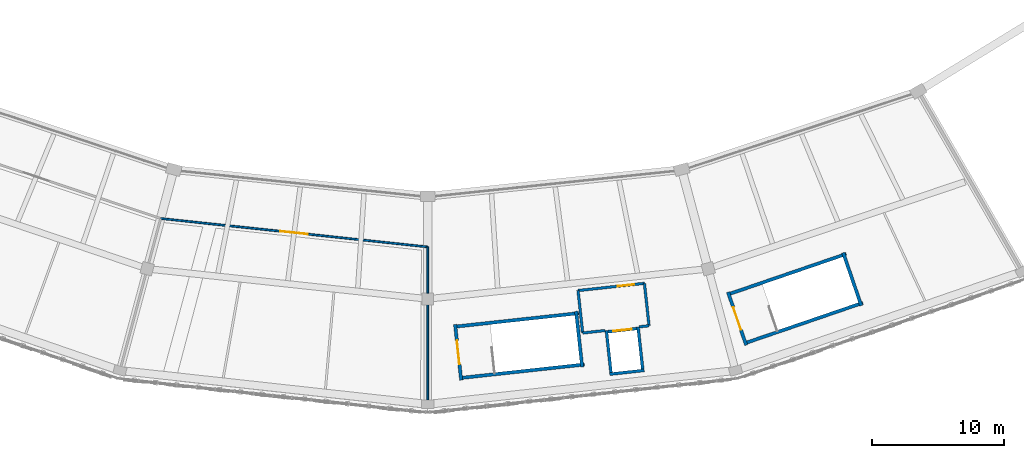
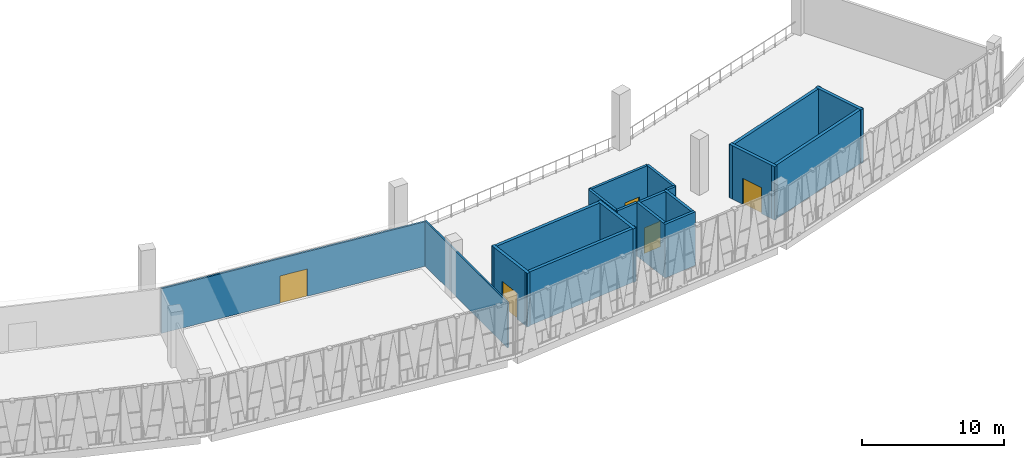
# One storey, part 44 of 64: 20 walls, 5 doors, 5 openings.
"""IFC4 building model written with IfcOpenShell, lengths in metres."""

from ifc_helpers import new_model, si_unit, direction, frame, frame_2d, origin, place, context, subcontext, project, spatial, rectangle, extrude, material, layer, layer_set, type_object, element, fill, save


model = new_model("IFC4")

# Units and contexts
model_context = context("Model", 3, precision=1e-05, world=origin(), true_north=direction((0.0, 1.0)))
body_context = subcontext(model_context, "Body", "Model", "MODEL_VIEW")
ifc_project = project(units=[si_unit("LENGTHUNIT", "METRE"), si_unit("AREAUNIT", "SQUARE_METRE"), si_unit("VOLUMEUNIT", "CUBIC_METRE"), si_unit("PLANEANGLEUNIT", "RADIAN"), si_unit("MASSUNIT", "GRAM", prefix="KILO")], contexts=[model_context])

# Site, building, storey
site_placement = place(None, origin())
site = spatial("IfcSite", under=ifc_project, at=site_placement, CompositionType="ELEMENT")
building_placement = place(site_placement, origin())
building = spatial("IfcBuilding", under=site, at=building_placement, Name="Zevraka Park Crest Stadium", CompositionType="ELEMENT")
storey_placement = place(building_placement, frame((0.0, 0.0, 24.60009765625)))
storey = spatial("IfcBuildingStorey", under=building, at=storey_placement, Name="L05", CompositionType="ELEMENT", Elevation=24.60009765625)

# Walls
ifc_material_1 = material(Name="Autoclaved aerated masonry blockwork", Category="masonry")
ifc_layer_1 = layer(ifc_material_1, 0.199951171875)
ifc_layer_set_1 = layer_set([ifc_layer_1], Name="Autoclaved aerated masonry blockwork")
wall_type_1 = type_object("IfcWallType", Name="IW01", PredefinedType="PARTITIONING", material=ifc_layer_set_1)
wall_1_placement = place(storey_placement, frame((128.804931640625, 22.6650390625, 0.0), z_axis=(0.0, 0.0, 1.0), x_axis=(-0.994146742738, -0.108038205757, 0.0)))
element("IfcWall", 1, at=wall_1_placement, inside=storey, type_object=wall_type_1, Name="Firefighting Lift Lobby Wall IW01 FL04 L05 BACKL", PredefinedType="PARTITIONING", context=body_context, shape_type="SweptSolid", body=[
    extrude(rectangle(XDim=0.750244140625, YDim=0.199951171875, at=frame_2d((0.375, 0.0))), origin(), (0.0, 0.0, 1.0), 4.599853515625),
])
wall_2_placement = place(storey_placement, frame((125.47509765625, 22.302001953125, 0.0), z_axis=(0.0, 0.0, 1.0), x_axis=(-0.994135511072, -0.108141507414, 0.0)))
element("IfcWall", 2, at=wall_2_placement, inside=storey, type_object=wall_type_1, Name="Firefighting Lift Lobby Wall IW01 FL04 L05 BACKR", PredefinedType="PARTITIONING", context=body_context, shape_type="SweptSolid", body=[
    extrude(rectangle(XDim=1.72021484375, YDim=0.199951171875, at=frame_2d((0.860107421875, 0.0))), origin(), (0.0, 0.0, 1.0), 4.599853515625),
])
for number, where, z_axis, x_axis, name in (
    (3, (128.804931640625, 22.6650390625, 0.0), (0.0, 0.0, 1.0), (-0.108280975823, 0.994120329877, 0.0), "Firefighting Lift Lobby Wall IW01 FL04 L05 LEFT"),
    (4, (123.764892578125, 22.115966796875, 0.0), (0.0, 0.0, 1.0), (-0.108280975823, 0.994120329877, 0.0), "Firefighting Lift Lobby Wall IW01 FL04 L05 RIGHT"),
):
    element("IfcWall", number, at=place(storey_placement, frame(where, z_axis=z_axis, x_axis=x_axis)), inside=storey, type_object=wall_type_1, Name=name, PredefinedType="PARTITIONING", context=body_context, shape_type="SweptSolid", body=[
        extrude(rectangle(XDim=3.239990234375, YDim=0.199951171875, at=frame_2d((1.6201171875, 0.0))), origin(), (0.0, 0.0, 1.0), 4.599853515625),
    ])

# Wall, opening, door
wall_3_placement = place(storey_placement, frame((128.4541015625, 25.885986328125, 0.0), z_axis=(0.0, 0.0, 1.0), x_axis=(-0.994118117986, -0.108301281116, 0.0)))
wall_3 = element("IfcWall", 5, at=wall_3_placement, inside=storey, type_object=wall_type_1, Name="Firefighting Lift Lobby Wall IW01 FL04 L05 FRONT", PredefinedType="PARTITIONING", context=body_context, shape_type="SweptSolid", body=[
    extrude(rectangle(XDim=5.06982421875, YDim=0.199951171875, at=frame_2d((2.534912109375, 0.0))), origin(), (0.0, 0.0, 1.0), 4.599853515625),
])
opening_1_placement = place(wall_3_placement, frame((0.794921875, 0.0, 0.0)))
opening_1 = element("IfcOpeningElement", 6, at=opening_1_placement, cuts=wall_3, Name="Opening D-L05-324", PredefinedType="OPENING", context=body_context, shape_type="SweptSolid", body=[
    extrude(rectangle(XDim=1.25, YDim=2.199951171875, at=frame_2d((0.625, 1.10009765625))), frame((0.0, 0.10986328125, 0.0), z_axis=(0.0, -1.0, 0.0), x_axis=(1.0, 0.0, 0.0)), (0.0, 0.0, 1.0), 0.219970703125),
])
ifc_material_2 = material(Name="Solid-core hardwood timber leaf in steel frame", Category="steel")
door_type_1 = type_object("IfcDoorType", Name="DR07", OperationType="NOTDEFINED", PredefinedType="DOOR", material=ifc_material_2)
door_1_placement = place(opening_1_placement, origin())
door_1 = element("IfcDoor", 7, at=door_1_placement, inside=storey, type_object=door_type_1, Name="Firefighting Lift Lobby FL04 Door D-L05-324", OperationType="SINGLE_SWING_RIGHT", OverallHeight=2.199951171875, OverallWidth=1.25, PredefinedType="DOOR", context=body_context, shape_type="SweptSolid", body=[
    extrude(rectangle(XDim=1.25, YDim=2.199951171875, at=frame_2d((0.625, 1.10009765625))), frame((0.0, 0.02490234375, 0.0), z_axis=(0.0, -1.0, 0.0), x_axis=(1.0, 0.0, 0.0)), (0.0, 0.0, 1.0), 0.050048828125),
])
fill(opening_1, door_1)

ifc_material_3 = material(Name="Fire-rated twin-stud acoustic drywall", Category="other")
ifc_layer_2 = layer(ifc_material_3, 0.139892578125)
ifc_layer_set_2 = layer_set([ifc_layer_2], Name="Fire-rated twin-stud acoustic drywall")
wall_type_2 = type_object("IfcWallType", Name="IW03", PredefinedType="PARTITIONING", material=ifc_layer_set_2)
wall_4_placement = place(storey_placement, frame((91.721923828125, 30.80908203125, 0.0), z_axis=(0.0, 0.0, 1.0), x_axis=(0.994378914246, -0.105880002379, 0.0)))
wall_4 = element("IfcWall", 8, at=wall_4_placement, inside=storey, type_object=wall_type_2, Name="Interior Partition IW03 Broadcast Equipment Rack Room L05", PredefinedType="PARTITIONING", context=body_context, shape_type="SweptSolid", body=[
    extrude(rectangle(XDim=20.392822265625, YDim=0.139892578125, at=frame_2d((10.1962890625, 0.0))), origin(), (0.0, 0.0, 1.0), 3.83984375),
])
opening_2_placement = place(wall_4_placement, frame((9.14599609375, 0.0, 0.0)))
opening_2 = element("IfcOpeningElement", 9, at=opening_2_placement, cuts=wall_4, Name="Opening D-L05-497", PredefinedType="OPENING", context=body_context, shape_type="SweptSolid", body=[
    extrude(rectangle(XDim=2.10009765625, YDim=2.35009765625, at=frame_2d((1.050048828125, 1.175048828125))), frame((0.0, 0.079833984375, 0.0), z_axis=(0.0, -1.0, 0.0), x_axis=(1.0, 0.0, 0.0)), (0.0, 0.0, 1.0), 0.159912109375),
])
ifc_material_4 = material(Name="Solid-core hardwood timber leaf in steel frame", Category="steel")
door_type_2 = type_object("IfcDoorType", Name="DR17", OperationType="NOTDEFINED", PredefinedType="DOOR", material=ifc_material_4)
door_2_placement = place(opening_2_placement, origin())
door_2 = element("IfcDoor", 10, at=door_2_placement, inside=storey, type_object=door_type_2, Name="Broadcast Equipment Rack Room Door D-L05-497", OperationType="DOUBLE_DOOR_SINGLE_SWING", OverallHeight=2.35009765625, OverallWidth=2.10009765625, PredefinedType="DOOR", context=body_context, shape_type="SweptSolid", body=[
    extrude(rectangle(XDim=2.10009765625, YDim=2.35009765625, at=frame_2d((1.050048828125, 1.175048828125))), frame((0.0, 0.02490234375, 0.0), z_axis=(0.0, -1.0, 0.0), x_axis=(1.0, 0.0, 0.0)), (0.0, 0.0, 1.0), 0.050048828125),
])
fill(opening_2, door_2)

# Walls
wall_5_placement = place(storey_placement, frame((112.0, 28.64990234375, 0.0), z_axis=(0.0, 0.0, 1.0), x_axis=(0.0, -1.0, 0.0)))
element("IfcWall", 11, at=wall_5_placement, inside=storey, type_object=wall_type_2, Name="Interior Partition IW03 Broadcast Equipment Rack Room L05", PredefinedType="PARTITIONING", context=body_context, shape_type="SweptSolid", body=[
    extrude(rectangle(XDim=3.514892578125, YDim=0.139892578125, at=frame_2d((1.75732421875, 0.0))), origin(), (0.0, 0.0, 1.0), 3.889892578125),
])
wall_6_placement = place(storey_placement, frame((112.0, 25.14990234375, 0.0), z_axis=(0.0, 0.0, 1.0), x_axis=(0.0, -1.0, 0.0)))
element("IfcWall", 12, at=wall_6_placement, inside=storey, type_object=wall_type_2, Name="Interior Partition IW03 Broadcast Equipment Rack Room L05", PredefinedType="PARTITIONING", context=body_context, shape_type="SweptSolid", body=[
    extrude(rectangle(XDim=8.139892578125, YDim=0.139892578125, at=frame_2d((4.06982421875, 0.0))), origin(), (0.0, 0.0, 1.0), 3.889892578125),
])
ifc_material_5 = material(Name="Concrete C40/50", Category="concrete")
ifc_layer_3 = layer(ifc_material_5, 0.25)
ifc_layer_set_3 = layer_set([ifc_layer_3], Name="Concrete C40/50")
wall_type_3 = type_object("IfcWallType", Name="SW01", PredefinedType="SHEAR", material=ifc_layer_set_3)
for number, where, z_axis, x_axis, name in (
    (13, (114.397216796875, 18.689453125, 0.0), (0.0, 0.0, 1.0), (0.994127555169, 0.108214620337, 0.0), "Stair Core Shear Wall SW01 ST19 L05 left"),
    (14, (123.466796875, 23.619873046875, 0.0), (0.0, 0.0, 1.0), (-0.994127555169, -0.108214620337, 0.0), "Stair Core Shear Wall SW01 ST19 L05 right"),
):
    element("IfcWall", number, at=place(storey_placement, frame(where, z_axis=z_axis, x_axis=x_axis)), inside=storey, type_object=wall_type_3, Name=name, PredefinedType="SHEAR", context=body_context, shape_type="SweptSolid", body=[
        extrude(rectangle(XDim=9.550048828125, YDim=0.25, at=frame_2d((4.77490234375, 0.0))), origin(), (0.0, 0.0, 1.0), 4.619873046875),
    ])

# Wall, opening, door
wall_7_placement = place(storey_placement, frame((114.078857421875, 22.76904296875, 0.0), z_axis=(0.0, 0.0, 1.0), x_axis=(0.108198315262, -0.994129329903, 0.0)))
wall_7 = element("IfcWall", 15, at=wall_7_placement, inside=storey, type_object=wall_type_3, Name="Stair Core Shear Wall SW01 ST19 L05 near", PredefinedType="SHEAR", context=body_context, shape_type="SweptSolid", body=[
    extrude(rectangle(XDim=4.260009765625, YDim=0.25, at=frame_2d((2.1298828125, 0.0))), origin(), (0.0, 0.0, 1.0), 4.619873046875),
])
opening_3_placement = place(wall_7_placement, frame((1.22998046875, 0.0, 0.0)))
opening_3 = element("IfcOpeningElement", 16, at=opening_3_placement, cuts=wall_7, Name="Opening D-L05-115", PredefinedType="OPENING", context=body_context, shape_type="SweptSolid", body=[
    extrude(rectangle(XDim=1.800048828125, YDim=2.25, at=frame_2d((0.89990234375, 1.125))), frame((0.0, 0.135009765625, 0.0), z_axis=(0.0, -1.0, 0.0), x_axis=(1.0, 0.0, 0.0)), (0.0, 0.0, 1.0), 0.27001953125),
])
ifc_material_6 = material(Name="Solid-core hardwood timber leaf in steel frame", Category="steel")
door_type_3 = type_object("IfcDoorType", Name="DR04", OperationType="NOTDEFINED", PredefinedType="DOOR", material=ifc_material_6)
door_3_placement = place(opening_3_placement, origin())
door_3 = element("IfcDoor", 17, at=door_3_placement, inside=storey, type_object=door_type_3, Name="Protected Stair Entry Door ST19 L05", OperationType="DOUBLE_DOOR_SINGLE_SWING", OverallHeight=2.25, OverallWidth=1.800048828125, PredefinedType="DOOR", context=body_context, shape_type="SweptSolid", body=[
    extrude(rectangle(XDim=1.800048828125, YDim=2.25, at=frame_2d((0.89990234375, 1.125))), frame((0.0, 0.02490234375, 0.0), z_axis=(0.0, -1.0, 0.0), x_axis=(1.0, 0.0, 0.0)), (0.0, 0.0, 1.0), 0.050048828125),
])
fill(opening_3, door_3)

# Walls
wall_8_placement = place(storey_placement, frame((123.7255859375, 19.533935546875, 0.0), z_axis=(0.0, 0.0, 1.0), x_axis=(-0.108204479885, 0.994128658944, 0.0)))
element("IfcWall", 18, at=wall_8_placement, inside=storey, type_object=wall_type_3, Name="Stair Core Shear Wall SW01 ST19 L05 far", PredefinedType="SHEAR", context=body_context, shape_type="SweptSolid", body=[
    extrude(rectangle(XDim=4.259765625, YDim=0.25, at=frame_2d((2.1298828125, 0.0))), origin(), (0.0, 0.0, 1.0), 4.619873046875),
])
wall_9_placement = place(storey_placement, frame((136.00732421875, 21.314208984375, 0.0), z_axis=(0.0, 0.0, 1.0), x_axis=(0.946064424228, 0.323978556712, 0.0)))
element("IfcWall", 19, at=wall_9_placement, inside=storey, type_object=wall_type_3, Name="Stair Core Shear Wall SW01 ST20 L05 left", PredefinedType="SHEAR", context=body_context, shape_type="SweptSolid", body=[
    extrude(rectangle(XDim=9.550048828125, YDim=0.25, at=frame_2d((4.77490234375, 0.0))), origin(), (0.0, 0.0, 1.0), 4.619873046875),
])
wall_10_placement = place(storey_placement, frame((143.7724609375, 28.116943359375, 0.0), z_axis=(0.0, 0.0, 1.0), x_axis=(-0.946067107432, -0.323970721263, 0.0)))
element("IfcWall", 20, at=wall_10_placement, inside=storey, type_object=wall_type_3, Name="Stair Core Shear Wall SW01 ST20 L05 right", PredefinedType="SHEAR", context=body_context, shape_type="SweptSolid", body=[
    extrude(rectangle(XDim=9.55029296875, YDim=0.25, at=frame_2d((4.775146484375, 0.0))), origin(), (0.0, 0.0, 1.0), 4.619873046875),
])

# Wall, opening, door
wall_11_placement = place(storey_placement, frame((134.800537109375, 25.22412109375, 0.0), z_axis=(0.0, 0.0, 1.0), x_axis=(0.323988758717, -0.946060930504, 0.0)))
wall_11 = element("IfcWall", 21, at=wall_11_placement, inside=storey, type_object=wall_type_3, Name="Stair Core Shear Wall SW01 ST20 L05 near", PredefinedType="SHEAR", context=body_context, shape_type="SweptSolid", body=[
    extrude(rectangle(XDim=4.259765625, YDim=0.25, at=frame_2d((2.1298828125, 0.0))), origin(), (0.0, 0.0, 1.0), 4.619873046875),
])
opening_4_placement = place(wall_11_placement, frame((1.22998046875, 0.0, 0.0)))
opening_4 = element("IfcOpeningElement", 22, at=opening_4_placement, cuts=wall_11, Name="Opening D-L05-122", PredefinedType="OPENING", context=body_context, shape_type="SweptSolid", body=[
    extrude(rectangle(XDim=1.800048828125, YDim=2.25, at=frame_2d((0.89990234375, 1.125))), frame((0.0, 0.135009765625, 0.0), z_axis=(0.0, -1.0, 0.0), x_axis=(1.0, 0.0, 0.0)), (0.0, 0.0, 1.0), 0.27001953125),
])
door_4_placement = place(opening_4_placement, origin())
door_4 = element("IfcDoor", 23, at=door_4_placement, inside=storey, type_object=door_type_3, Name="Protected Stair Entry Door ST20 L05", OperationType="DOUBLE_DOOR_SINGLE_SWING", OverallHeight=2.25, OverallWidth=1.800048828125, PredefinedType="DOOR", context=body_context, shape_type="SweptSolid", body=[
    extrude(rectangle(XDim=1.800048828125, YDim=2.25, at=frame_2d((0.89990234375, 1.125))), frame((0.0, 0.02490234375, 0.0), z_axis=(0.0, -1.0, 0.0), x_axis=(1.0, 0.0, 0.0)), (0.0, 0.0, 1.0), 0.050048828125),
])
fill(opening_4, door_4)

# Walls
wall_12_placement = place(storey_placement, frame((144.92236328125, 24.1875, 0.0), z_axis=(0.0, 0.0, 1.0), x_axis=(-0.323971192516, 0.946066946056, 0.0)))
element("IfcWall", 24, at=wall_12_placement, inside=storey, type_object=wall_type_3, Name="Stair Core Shear Wall SW01 ST20 L05 far", PredefinedType="SHEAR", context=body_context, shape_type="SweptSolid", body=[
    extrude(rectangle(XDim=4.260009765625, YDim=0.25, at=frame_2d((2.1298828125, 0.0))), origin(), (0.0, 0.0, 1.0), 4.619873046875),
])
ifc_material_7 = material(Name="Concrete C40/50", Category="concrete")
ifc_layer_4 = layer(ifc_material_7, 0.219970703125)
ifc_layer_set_4 = layer_set([ifc_layer_4], Name="Concrete C40/50")
wall_type_4 = type_object("IfcWallType", Name="SW02", PredefinedType="SHEAR", material=ifc_layer_set_4)
wall_13_placement = place(storey_placement, frame((125.81689453125, 18.989013671875, 0.0), z_axis=(0.0, 0.0, 1.0), x_axis=(0.994077313431, 0.108675180804, 0.0)))
element("IfcWall", 25, at=wall_13_placement, inside=storey, type_object=wall_type_4, Name="Lift Shaft Shear Wall SW02 FL04 L05-1", PredefinedType="SHEAR", context=body_context, shape_type="SweptSolid", body=[
    extrude(rectangle(XDim=2.6396484375, YDim=0.219970703125, at=frame_2d((1.31982421875, 0.0))), origin(), (0.0, 0.0, 1.0), 4.619873046875),
])
wall_14_placement = place(storey_placement, frame((128.343994140625, 19.155029296875, 0.0), z_axis=(0.0, 0.0, 1.0), x_axis=(-0.108748511736, 0.994069293961, 0.0)))
element("IfcWall", 26, at=wall_14_placement, inside=storey, type_object=wall_type_4, Name="Lift Shaft Shear Wall SW02 FL04 L05-2", PredefinedType="SHEAR", context=body_context, shape_type="SweptSolid", body=[
    extrude(rectangle(XDim=3.439453125, YDim=0.219970703125, at=frame_2d((1.7197265625, 0.0))), origin(), (0.0, 0.0, 1.0), 4.619873046875),
])

# Wall, opening, door
wall_15_placement = place(storey_placement, frame((128.091064453125, 22.47705078125, 0.0), z_axis=(0.0, 0.0, 1.0), x_axis=(-0.994067317545, -0.108766576613, 0.0)))
wall_15 = element("IfcWall", 27, at=wall_15_placement, inside=storey, type_object=wall_type_4, Name="Lift Shaft Shear Wall SW02 FL04 L05-3", PredefinedType="SHEAR", context=body_context, shape_type="SweptSolid", body=[
    extrude(rectangle(XDim=2.6396484375, YDim=0.219970703125, at=frame_2d((1.31982421875, 0.0))), origin(), (0.0, 0.0, 1.0), 4.619873046875),
])
opening_5_placement = place(wall_15_placement, frame((0.6201171875, 0.0, 0.0)))
opening_5 = element("IfcOpeningElement", 28, at=opening_5_placement, cuts=wall_15, Name="Opening LD-FL04-L05", PredefinedType="OPENING", context=body_context, shape_type="SweptSolid", body=[
    extrude(rectangle(XDim=1.39990234375, YDim=2.199951171875, at=frame_2d((0.699951171875, 1.10009765625))), frame((0.0, 0.119873046875, 0.0), z_axis=(0.0, -1.0, 0.0), x_axis=(1.0, 0.0, 0.0)), (0.0, 0.0, 1.0), 0.239990234375),
])
ifc_material_8 = material(Name="Brushed stainless steel lift landing doors", Category="steel")
door_type_4 = type_object("IfcDoorType", Name="LD01", OperationType="NOTDEFINED", PredefinedType="DOOR", material=ifc_material_8)
door_5_placement = place(opening_5_placement, origin())
door_5 = element("IfcDoor", 29, at=door_5_placement, inside=storey, type_object=door_type_4, Name="Lift Sliding Landing Door LD-FL04-L05", OperationType="SLIDING_TO_LEFT", OverallHeight=2.199951171875, OverallWidth=1.39990234375, PredefinedType="DOOR", context=body_context, shape_type="SweptSolid", body=[
    extrude(rectangle(XDim=1.39990234375, YDim=2.199951171875, at=frame_2d((0.699951171875, 1.10009765625))), frame((0.0, 0.02490234375, 0.0), z_axis=(0.0, -1.0, 0.0), x_axis=(1.0, 0.0, 0.0)), (0.0, 0.0, 1.0), 0.050048828125),
])
fill(opening_5, door_5)

# Wall
wall_16_placement = place(storey_placement, frame((125.56396484375, 22.31103515625, 0.0), z_axis=(0.0, 0.0, 1.0), x_axis=(0.108748511736, -0.994069293961, 0.0)))
element("IfcWall", 30, at=wall_16_placement, inside=storey, type_object=wall_type_4, Name="Lift Shaft Shear Wall SW02 FL04 L05-4", PredefinedType="SHEAR", context=body_context, shape_type="SweptSolid", body=[
    extrude(rectangle(XDim=3.439453125, YDim=0.219970703125, at=frame_2d((1.7197265625, 0.0))), origin(), (0.0, 0.0, 1.0), 4.619873046875),
])

save(model, "model.ifc")
